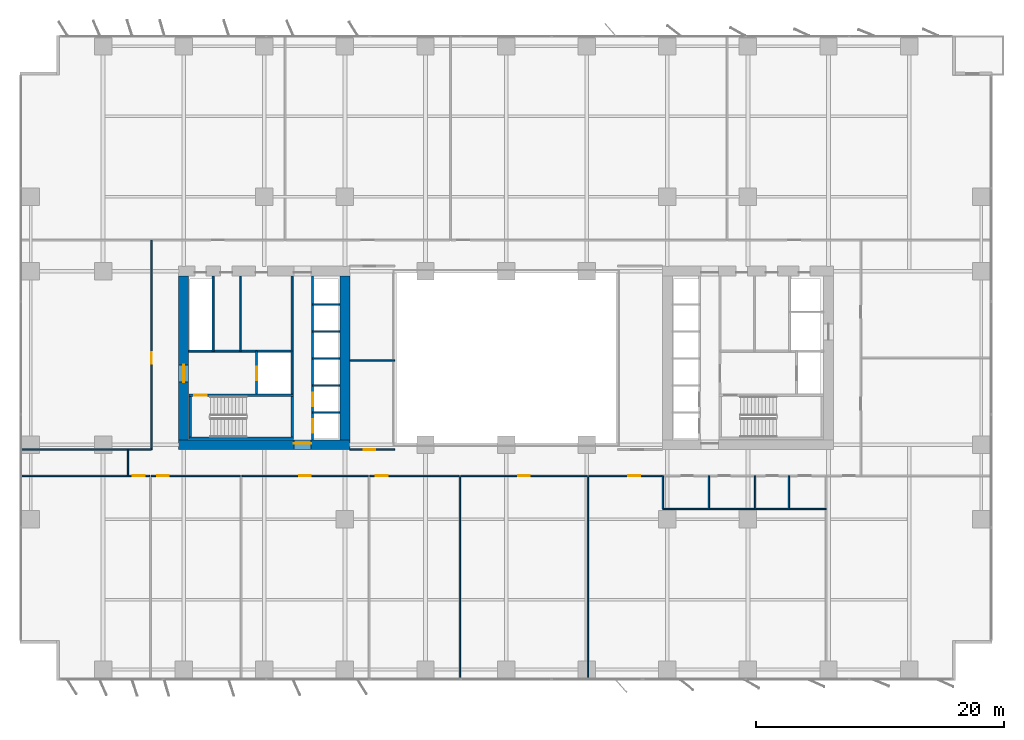
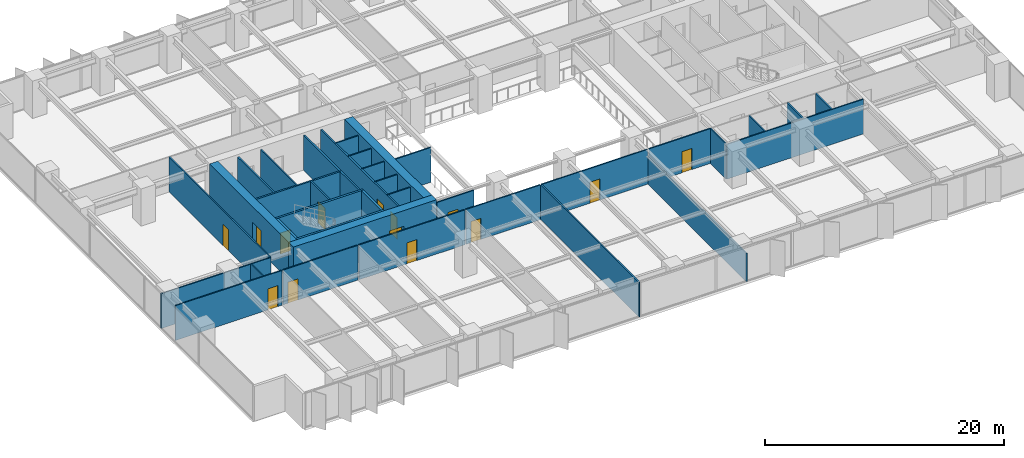
# One storey, part 13 of 20: 37 walls, 14 doors, 14 openings.
"""IFC4 building model written with IfcOpenShell, lengths in metres."""

from ifc_helpers import new_model, si_unit, direction, frame, frame_2d, origin, place, context, subcontext, project, spatial, rectangle, extrude, material, layer, layer_set, type_object, element, fill, save


model = new_model("IFC4")

# Units and contexts
model_context = context("Model", 3, precision=1e-05, world=origin(), true_north=direction((0.0, 1.0)))
body_context = subcontext(model_context, "Body", "Model", "MODEL_VIEW")
ifc_project = project(units=[si_unit("LENGTHUNIT", "METRE"), si_unit("AREAUNIT", "SQUARE_METRE"), si_unit("VOLUMEUNIT", "CUBIC_METRE"), si_unit("PLANEANGLEUNIT", "RADIAN"), si_unit("MASSUNIT", "GRAM", prefix="KILO")], contexts=[model_context])

# Site, building, storey
site_placement = place(None, origin())
site = spatial("IfcSite", under=ifc_project, at=site_placement, CompositionType="ELEMENT")
building_placement = place(site_placement, origin())
building = spatial("IfcBuilding", under=site, at=building_placement, Name="Putna Gate Headquarters", CompositionType="ELEMENT")
storey_placement = place(building_placement, frame((0.0, 0.0, 69.60009765625)))
storey = spatial("IfcBuildingStorey", under=building, at=storey_placement, Name="L16", CompositionType="ELEMENT", Elevation=69.60009765625)

# Wall, opening, door
ifc_material_1 = material(Name="Concrete C60/75", Category="concrete")
ifc_layer_1 = layer(ifc_material_1, 0.800048828125)
ifc_layer_set_1 = layer_set([ifc_layer_1], Name="Concrete C60/75")
wall_type_1 = type_object("IfcWallType", Name="WALL-CORE-800", PredefinedType="SHEAR", material=ifc_layer_set_1)
wall_1_placement = place(storey_placement, frame((12.60009765625, 19.0, 0.0), z_axis=(0.0, 0.0, 1.0), x_axis=(1.0, 0.0, 0.0)))
wall_1 = element("IfcWall", 1, at=wall_1_placement, inside=storey, type_object=wall_type_1, Name="L16 WC Split Core Shear Wall S", PredefinedType="SHEAR", context=body_context, shape_type="SweptSolid", body=[
    extrude(rectangle(XDim=13.7998046875, YDim=0.800048828125, at=frame_2d((6.89990234375, 0.0))), origin(), (0.0, 0.0, 1.0), 3.7998046875),
])
opening_1_placement = place(wall_1_placement, frame((9.280029296875, 0.0, 0.0)))
opening_1 = element("IfcOpeningElement", 2, at=opening_1_placement, cuts=wall_1, Name="Opening FDD-140", PredefinedType="OPENING", context=body_context, shape_type="SweptSolid", body=[
    extrude(rectangle(XDim=1.39990234375, YDim=2.199951171875, at=frame_2d((0.699951171875, 1.10009765625))), frame((0.0, 0.409912109375, 0.0), z_axis=(0.0, -1.0, 0.0), x_axis=(1.0, 0.0, 0.0)), (0.0, 0.0, 1.0), 0.820068359375),
])
ifc_material_2 = material(Name="Double steel fire door", Category="steel")
door_type_1 = type_object("IfcDoorType", Name="DOOR-FIRE-DBL-1400", OperationType="DOUBLE_DOOR_SINGLE_SWING", PredefinedType="DOOR", material=ifc_material_2)
door_1_placement = place(opening_1_placement, origin())
door_1 = element("IfcDoor", 3, at=door_1_placement, inside=storey, type_object=door_type_1, Name="L16 West Lift Lobby South Door", OperationType="DOUBLE_DOOR_SINGLE_SWING", OverallHeight=2.199951171875, OverallWidth=1.39990234375, PredefinedType="DOOR", context=body_context, shape_type="SweptSolid", body=[
    extrude(rectangle(XDim=1.39990234375, YDim=2.199951171875, at=frame_2d((0.699951171875, 1.10009765625))), frame((0.0, 0.125, 0.0), z_axis=(0.0, -1.0, 0.0), x_axis=(1.0, 0.0, 0.0)), (0.0, 0.0, 1.0), 0.050048828125),
])
fill(opening_1, door_1)

wall_2_placement = place(storey_placement, frame((13.0, 19.39990234375, 0.0), z_axis=(0.0, 0.0, 1.0), x_axis=(0.0, 1.0, 0.0)))
wall_2 = element("IfcWall", 4, at=wall_2_placement, inside=storey, type_object=wall_type_1, Name="L16 WC Split Core Shear Wall W", PredefinedType="SHEAR", context=body_context, shape_type="SweptSolid", body=[
    extrude(rectangle(XDim=13.2001953125, YDim=0.800048828125, at=frame_2d((6.60009765625, 0.0))), origin(), (0.0, 0.0, 1.0), 3.7998046875),
])
opening_2_placement = place(wall_2_placement, frame((4.64990234375, 0.0, 0.0)))
opening_2 = element("IfcOpeningElement", 5, at=opening_2_placement, cuts=wall_2, Name="Opening FDD-140", PredefinedType="OPENING", context=body_context, shape_type="SweptSolid", body=[
    extrude(rectangle(XDim=1.39990234375, YDim=2.199951171875, at=frame_2d((0.699951171875, 1.10009765625))), frame((0.0, 0.409912109375, 0.0), z_axis=(0.0, -1.0, 0.0), x_axis=(1.0, 0.0, 0.0)), (0.0, 0.0, 1.0), 0.820068359375),
])
door_2_placement = place(opening_2_placement, origin())
door_2 = element("IfcDoor", 6, at=door_2_placement, inside=storey, type_object=door_type_1, Name="L16 West Firefighting Lobby Door", OperationType="DOUBLE_DOOR_SINGLE_SWING", OverallHeight=2.199951171875, OverallWidth=1.39990234375, PredefinedType="DOOR", context=body_context, shape_type="SweptSolid", body=[
    extrude(rectangle(XDim=1.39990234375, YDim=2.199951171875, at=frame_2d((0.699951171875, 1.10009765625))), frame((0.0, 0.02490234375, 0.0), z_axis=(0.0, -1.0, 0.0), x_axis=(1.0, 0.0, 0.0)), (0.0, 0.0, 1.0), 0.050048828125),
])
fill(opening_2, door_2)

# Walls
wall_3_placement = place(storey_placement, frame((26.0, 19.39990234375, 0.0), z_axis=(0.0, 0.0, 1.0), x_axis=(0.0, 1.0, 0.0)))
element("IfcWall", 7, at=wall_3_placement, inside=storey, type_object=wall_type_1, Name="L16 WC Split Core Shear Wall E", PredefinedType="SHEAR", context=body_context, shape_type="SweptSolid", body=[
    extrude(rectangle(XDim=13.2001953125, YDim=0.800048828125, at=frame_2d((6.60009765625, 0.0))), origin(), (0.0, 0.0, 1.0), 3.7998046875),
])
ifc_material_3 = material(Name="Acoustic gypsum board on metal stud")
ifc_layer_2 = layer(ifc_material_3, 0.1201171875)
ifc_layer_set_2 = layer_set([ifc_layer_2], Name="Acoustic gypsum board on metal stud")
wall_type_2 = type_object("IfcWallType", Name="WALL-PART-120", PredefinedType="PARTITIONING", material=ifc_layer_set_2)
wall_4_placement = place(storey_placement, frame((26.39990234375, 25.800048828125, 0.0), z_axis=(0.0, 0.0, 1.0), x_axis=(1.0, 0.0, 0.0)))
element("IfcWall", 8, at=wall_4_placement, inside=storey, type_object=wall_type_2, Name="L16 Interior Wall PART-L16-ATR-W-DIV", PredefinedType="PARTITIONING", context=body_context, shape_type="SweptSolid", body=[
    extrude(rectangle(XDim=3.60009765625, YDim=0.1201171875, at=frame_2d((1.800048828125, 0.0))), origin(), (0.0, 0.0, 1.0), 3.5498046875),
])

# Wall, opening, door
wall_5_placement = place(storey_placement, frame((26.39990234375, 18.60009765625, 0.0), z_axis=(0.0, 0.0, 1.0), x_axis=(1.0, 0.0, 0.0)))
wall_5 = element("IfcWall", 9, at=wall_5_placement, inside=storey, type_object=wall_type_2, Name="L16 Interior Wall PART-L16-ATR-W-S", PredefinedType="PARTITIONING", context=body_context, shape_type="SweptSolid", body=[
    extrude(rectangle(XDim=3.60009765625, YDim=0.1201171875, at=frame_2d((1.800048828125, 0.0))), origin(), (0.0, 0.0, 1.0), 3.5498046875),
])
opening_3_placement = place(wall_5_placement, frame((1.10009765625, 0.0, 0.0)))
opening_3 = element("IfcOpeningElement", 10, at=opening_3_placement, cuts=wall_5, Name="Opening ID-95", PredefinedType="OPENING", context=body_context, shape_type="SweptSolid", body=[
    extrude(rectangle(XDim=0.949951171875, YDim=2.14990234375, at=frame_2d((0.47509765625, 1.074951171875))), frame((0.0, 0.070068359375, 0.0), z_axis=(0.0, -1.0, 0.0), x_axis=(1.0, 0.0, 0.0)), (0.0, 0.0, 1.0), 0.14013671875),
])
ifc_material_4 = material(Name="Veneered acoustic timber door", Category="wood")
door_type_2 = type_object("IfcDoorType", Name="DOOR-OFF-950", OperationType="NOTDEFINED", PredefinedType="DOOR", material=ifc_material_4)
door_3_placement = place(opening_3_placement, origin())
door_3 = element("IfcDoor", 11, at=door_3_placement, inside=storey, type_object=door_type_2, Name="L16 West Atrium South Study Door", OperationType="SINGLE_SWING_LEFT", OverallHeight=2.14990234375, OverallWidth=0.949951171875, PredefinedType="DOOR", context=body_context, shape_type="SweptSolid", body=[
    extrude(rectangle(XDim=0.949951171875, YDim=2.14990234375, at=frame_2d((0.47509765625, 1.074951171875))), frame((0.0, 0.02490234375, 0.0), z_axis=(0.0, -1.0, 0.0), x_axis=(1.0, 0.0, 0.0)), (0.0, 0.0, 1.0), 0.050048828125),
])
fill(opening_3, door_3)

# Walls
wall_6_placement = place(storey_placement, frame((35.27099609375, 0.02001953125, 0.0), z_axis=(0.0, 0.0, 1.0), x_axis=(0.0, 1.0, 0.0)))
element("IfcWall", 12, at=wall_6_placement, inside=storey, type_object=wall_type_2, Name="L16 Interior Wall PART-L16-SB-DIV-04", PredefinedType="PARTITIONING", context=body_context, shape_type="SweptSolid", body=[
    extrude(rectangle(XDim=16.419921875, YDim=0.1201171875, at=frame_2d((8.2099609375, 0.0))), origin(), (0.0, 0.0, 1.0), 3.5498046875),
])
wall_7_placement = place(storey_placement, frame((45.60009765625, 0.02001953125, 0.0), z_axis=(0.0, 0.0, 1.0), x_axis=(0.0, 1.0, 0.0)))
element("IfcWall", 13, at=wall_7_placement, inside=storey, type_object=wall_type_2, Name="L16 Interior Wall PART-L16-SB-DIV-05", PredefinedType="PARTITIONING", context=body_context, shape_type="SweptSolid", body=[
    extrude(rectangle(XDim=16.419921875, YDim=0.1201171875, at=frame_2d((8.2099609375, 0.0))), origin(), (0.0, 0.0, 1.0), 2.89990234375),
])
ifc_material_5 = material(Name="Fire-rated shaftwall gypsum board on metal stud")
ifc_layer_3 = layer(ifc_material_5, 0.1201171875)
ifc_layer_set_3 = layer_set([ifc_layer_3], Name="Fire-rated shaftwall gypsum board on metal stud")
wall_type_3 = type_object("IfcWallType", Name="WALL-PART-120-EI120", PredefinedType="PARTITIONING", material=ifc_layer_set_3)
for number, where, z_axis, x_axis, name in (
    (14, (23.39990234375, 21.610107421875, 0.0), (0.0, 0.0, 1.0), (1.0, 0.0, 0.0), "L16 Interior Wall CWINT-L16-WC-LF01-DIV"),
    (15, (23.39990234375, 23.780029296875, 0.0), (0.0, 0.0, 1.0), (1.0, 0.0, 0.0), "L16 Interior Wall CWINT-L16-WC-LF02-DIV"),
    (16, (23.39990234375, 25.949951171875, 0.0), (0.0, 0.0, 1.0), (1.0, 0.0, 0.0), "L16 Interior Wall CWINT-L16-WC-LF05-DIV"),
    (17, (23.39990234375, 28.1201171875, 0.0), (0.0, 0.0, 1.0), (1.0, 0.0, 0.0), "L16 Interior Wall CWINT-L16-WC-LF06-DIV"),
    (18, (23.39990234375, 30.31005859375, 0.0), (0.0, 0.0, 1.0), (1.0, 0.0, 0.0), "L16 Interior Wall CWINT-L16-WC-LF09-DIV"),
):
    element("IfcWall", number, at=place(storey_placement, frame(where, z_axis=z_axis, x_axis=x_axis)), inside=storey, type_object=wall_type_3, Name=name, PredefinedType="PARTITIONING", context=body_context, shape_type="SweptSolid", body=[
        extrude(rectangle(XDim=2.2001953125, YDim=0.1201171875, at=frame_2d((1.10009765625, 0.0))), origin(), (0.0, 0.0, 1.0), 3.5498046875),
    ])
ifc_material_6 = material(Name="Fire-rated gypsum board on metal stud")
ifc_layer_4 = layer(ifc_material_6, 0.1201171875)
ifc_layer_set_4 = layer_set([ifc_layer_4], Name="Fire-rated gypsum board on metal stud")
wall_type_4 = type_object("IfcWallType", Name="WALL-PART-120-RATED", PredefinedType="PARTITIONING", material=ifc_layer_set_4)
wall_8_placement = place(storey_placement, frame((17.570068359375, 26.56005859375, 0.0), z_axis=(0.0, 0.0, 1.0), x_axis=(0.0, 1.0, 0.0)))
element("IfcWall", 19, at=wall_8_placement, inside=storey, type_object=wall_type_4, Name="L16 Interior Wall CWINT-L16-WC-K1-DIV", PredefinedType="PARTITIONING", context=body_context, shape_type="SweptSolid", body=[
    extrude(rectangle(XDim=6.0400390625, YDim=0.1201171875, at=frame_2d((3.02001953125, 0.0))), origin(), (0.0, 0.0, 1.0), 3.5498046875),
])
wall_9_placement = place(storey_placement, frame((8.509033203125, 16.5, 0.0), z_axis=(0.0, 0.0, 1.0), x_axis=(0.0, 1.0, 0.0)))
element("IfcWall", 20, at=wall_9_placement, inside=storey, type_object=wall_type_4, Name="L16 Interior Wall PART-L16-CORRS-CAPW", PredefinedType="PARTITIONING", context=body_context, shape_type="SweptSolid", body=[
    extrude(rectangle(XDim=2.10009765625, YDim=0.1201171875, at=frame_2d((1.050048828125, 0.0))), origin(), (0.0, 0.0, 1.0), 3.5498046875),
])
wall_10_placement = place(storey_placement, frame((51.639892578125, 13.820068359375, 0.0), z_axis=(0.0, 0.0, 1.0), x_axis=(1.0, 0.0, 0.0)))
element("IfcWall", 21, at=wall_10_placement, inside=storey, type_object=wall_type_4, Name="L16 Interior Wall PART-L16-SAN-BACK", PredefinedType="PARTITIONING", context=body_context, shape_type="SweptSolid", body=[
    extrude(rectangle(XDim=13.16015625, YDim=0.1201171875, at=frame_2d((6.580078125, 0.0))), origin(), (0.0, 0.0, 1.0), 3.5498046875),
])
for number, where, z_axis, x_axis, name in (
    (22, (51.639892578125, 13.820068359375, 0.0), (0.0, 0.0, 1.0), (0.0, 1.0, 0.0), "L16 Interior Wall PART-L16-SAN-DIV-1"),
    (23, (55.360107421875, 13.820068359375, 0.0), (0.0, 0.0, 1.0), (0.0, 1.0, 0.0), "L16 Interior Wall PART-L16-SAN-DIV-2"),
    (24, (59.080078125, 13.820068359375, 0.0), (0.0, 0.0, 1.0), (0.0, 1.0, 0.0), "L16 Interior Wall PART-L16-SAN-DIV-3"),
    (25, (61.800048828125, 13.820068359375, 0.0), (0.0, 0.0, 1.0), (0.0, 1.0, 0.0), "L16 Interior Wall PART-L16-SAN-DIV-4"),
):
    element("IfcWall", number, at=place(storey_placement, frame(where, z_axis=z_axis, x_axis=x_axis)), inside=storey, type_object=wall_type_4, Name=name, PredefinedType="PARTITIONING", context=body_context, shape_type="SweptSolid", body=[
        extrude(rectangle(XDim=2.679931640625, YDim=0.1201171875, at=frame_2d((1.33984375, 0.0))), origin(), (0.0, 0.0, 1.0), 3.5498046875),
    ])

# Wall, opening, door
wall_11_placement = place(storey_placement, frame((-0.02001953125, 16.5, 0.0), z_axis=(0.0, 0.0, 1.0), x_axis=(1.0, 0.0, 0.0)))
wall_11 = element("IfcWall", 26, at=wall_11_placement, inside=storey, type_object=wall_type_4, Name="L16 Interior Wall PART-L16-SB-CW-01", PredefinedType="PARTITIONING", context=body_context, shape_type="SweptSolid", body=[
    extrude(rectangle(XDim=10.26904296875, YDim=0.1201171875, at=frame_2d((5.134521484375, 0.0))), origin(), (0.0, 0.0, 1.0), 3.5498046875),
])
opening_4_placement = place(wall_11_placement, frame((8.924072265625, 0.0, 0.0)))
opening_4 = element("IfcOpeningElement", 27, at=opening_4_placement, cuts=wall_11, Name="Opening FD-95", PredefinedType="OPENING", context=body_context, shape_type="SweptSolid", body=[
    extrude(rectangle(XDim=0.949951171875, YDim=2.14990234375, at=frame_2d((0.47509765625, 1.074951171875))), frame((0.0, 0.070068359375, 0.0), z_axis=(0.0, -1.0, 0.0), x_axis=(1.0, 0.0, 0.0)), (0.0, 0.0, 1.0), 0.14013671875),
])
ifc_material_7 = material(Name="Acoustic timber fire door", Category="wood")
door_type_3 = type_object("IfcDoorType", Name="DOOR-FIRE-950", OperationType="NOTDEFINED", PredefinedType="DOOR", material=ifc_material_7)
door_4_placement = place(opening_4_placement, origin())
door_4 = element("IfcDoor", 28, at=door_4_placement, inside=storey, type_object=door_type_3, Name="L16 Cellular Office 2 Door", OperationType="SINGLE_SWING_RIGHT", OverallHeight=2.14990234375, OverallWidth=0.949951171875, PredefinedType="DOOR", context=body_context, shape_type="SweptSolid", body=[
    extrude(rectangle(XDim=0.949951171875, YDim=2.14990234375, at=frame_2d((0.47509765625, 1.074951171875))), frame((0.0, 0.02490234375, 0.0), z_axis=(0.0, -1.0, 0.0), x_axis=(1.0, 0.0, 0.0)), (0.0, 0.0, 1.0), 0.050048828125),
])
fill(opening_4, door_4)

wall_12_placement = place(storey_placement, frame((10.369140625, 16.5, 0.0), z_axis=(0.0, 0.0, 1.0), x_axis=(1.0, 0.0, 0.0)))
wall_12 = element("IfcWall", 29, at=wall_12_placement, inside=storey, type_object=wall_type_4, Name="L16 Interior Wall PART-L16-SB-CW-02", PredefinedType="PARTITIONING", context=body_context, shape_type="SweptSolid", body=[
    extrude(rectangle(XDim=7.1962890625, YDim=0.1201171875, at=frame_2d((3.59814453125, 0.0))), origin(), (0.0, 0.0, 1.0), 3.5498046875),
])
opening_5_placement = place(wall_12_placement, frame((0.47998046875, 0.0, 0.0)))
opening_5 = element("IfcOpeningElement", 30, at=opening_5_placement, cuts=wall_12, Name="Opening FD-95", PredefinedType="OPENING", context=body_context, shape_type="SweptSolid", body=[
    extrude(rectangle(XDim=0.949951171875, YDim=2.14990234375, at=frame_2d((0.47509765625, 1.074951171875))), frame((0.0, 0.070068359375, 0.0), z_axis=(0.0, -1.0, 0.0), x_axis=(1.0, 0.0, 0.0)), (0.0, 0.0, 1.0), 0.14013671875),
])
door_5_placement = place(opening_5_placement, origin())
door_5 = element("IfcDoor", 31, at=door_5_placement, inside=storey, type_object=door_type_3, Name="L16 Conference Meeting Room 4 Door", OperationType="SINGLE_SWING_LEFT", OverallHeight=2.14990234375, OverallWidth=0.949951171875, PredefinedType="DOOR", context=body_context, shape_type="SweptSolid", body=[
    extrude(rectangle(XDim=0.949951171875, YDim=2.14990234375, at=frame_2d((0.47509765625, 1.074951171875))), frame((0.0, 0.02490234375, 0.0), z_axis=(0.0, -1.0, 0.0), x_axis=(1.0, 0.0, 0.0)), (0.0, 0.0, 1.0), 0.050048828125),
])
fill(opening_5, door_5)

wall_13_placement = place(storey_placement, frame((17.685546875, 16.5, 0.0), z_axis=(0.0, 0.0, 1.0), x_axis=(1.0, 0.0, 0.0)))
wall_13 = element("IfcWall", 32, at=wall_13_placement, inside=storey, type_object=wall_type_4, Name="L16 Interior Wall PART-L16-SB-CW-03", PredefinedType="PARTITIONING", context=body_context, shape_type="SweptSolid", body=[
    extrude(rectangle(XDim=10.208984375, YDim=0.1201171875, at=frame_2d((5.1044921875, 0.0))), origin(), (0.0, 0.0, 1.0), 3.5498046875),
])
opening_6_placement = place(wall_13_placement, frame((4.62939453125, 0.0, 0.0)))
opening_6 = element("IfcOpeningElement", 33, at=opening_6_placement, cuts=wall_13, Name="Opening FD-95", PredefinedType="OPENING", context=body_context, shape_type="SweptSolid", body=[
    extrude(rectangle(XDim=0.949951171875, YDim=2.14990234375, at=frame_2d((0.47509765625, 1.074951171875))), frame((0.0, 0.070068359375, 0.0), z_axis=(0.0, -1.0, 0.0), x_axis=(1.0, 0.0, 0.0)), (0.0, 0.0, 1.0), 0.14013671875),
])
door_6_placement = place(opening_6_placement, origin())
door_6 = element("IfcDoor", 34, at=door_6_placement, inside=storey, type_object=door_type_3, Name="L16 Conference Meeting Room 5 Door", OperationType="SINGLE_SWING_RIGHT", OverallHeight=2.14990234375, OverallWidth=0.949951171875, PredefinedType="DOOR", context=body_context, shape_type="SweptSolid", body=[
    extrude(rectangle(XDim=0.949951171875, YDim=2.14990234375, at=frame_2d((0.47509765625, 1.074951171875))), frame((0.0, 0.02490234375, 0.0), z_axis=(0.0, -1.0, 0.0), x_axis=(1.0, 0.0, 0.0)), (0.0, 0.0, 1.0), 0.050048828125),
])
fill(opening_6, door_6)

wall_14_placement = place(storey_placement, frame((28.014404296875, 16.5, 0.0), z_axis=(0.0, 0.0, 1.0), x_axis=(1.0, 0.0, 0.0)))
wall_14 = element("IfcWall", 35, at=wall_14_placement, inside=storey, type_object=wall_type_4, Name="L16 Interior Wall PART-L16-SB-CW-04", PredefinedType="PARTITIONING", context=body_context, shape_type="SweptSolid", body=[
    extrude(rectangle(XDim=7.196533203125, YDim=0.1201171875, at=frame_2d((3.59814453125, 0.0))), origin(), (0.0, 0.0, 1.0), 3.5498046875),
])
opening_7_placement = place(wall_14_placement, frame((0.47998046875, 0.0, 0.0)))
opening_7 = element("IfcOpeningElement", 36, at=opening_7_placement, cuts=wall_14, Name="Opening FD-95", PredefinedType="OPENING", context=body_context, shape_type="SweptSolid", body=[
    extrude(rectangle(XDim=0.949951171875, YDim=2.14990234375, at=frame_2d((0.47509765625, 1.074951171875))), frame((0.0, 0.070068359375, 0.0), z_axis=(0.0, -1.0, 0.0), x_axis=(1.0, 0.0, 0.0)), (0.0, 0.0, 1.0), 0.14013671875),
])
door_7_placement = place(opening_7_placement, origin())
door_7 = element("IfcDoor", 37, at=door_7_placement, inside=storey, type_object=door_type_3, Name="L16 Collaborative Breakout Lounge 1 Door", OperationType="SINGLE_SWING_LEFT", OverallHeight=2.14990234375, OverallWidth=0.949951171875, PredefinedType="DOOR", context=body_context, shape_type="SweptSolid", body=[
    extrude(rectangle(XDim=0.949951171875, YDim=2.14990234375, at=frame_2d((0.47509765625, 1.074951171875))), frame((0.0, 0.02490234375, 0.0), z_axis=(0.0, -1.0, 0.0), x_axis=(1.0, 0.0, 0.0)), (0.0, 0.0, 1.0), 0.050048828125),
])
fill(opening_7, door_7)

wall_15_placement = place(storey_placement, frame((35.330810546875, 16.5, 0.0), z_axis=(0.0, 0.0, 1.0), x_axis=(1.0, 0.0, 0.0)))
wall_15 = element("IfcWall", 38, at=wall_15_placement, inside=storey, type_object=wall_type_4, Name="L16 Interior Wall PART-L16-SB-CW-05", PredefinedType="PARTITIONING", context=body_context, shape_type="SweptSolid", body=[
    extrude(rectangle(XDim=10.209228515625, YDim=0.1201171875, at=frame_2d((5.1044921875, 0.0))), origin(), (0.0, 0.0, 1.0), 3.5498046875),
])
opening_8_placement = place(wall_15_placement, frame((4.629638671875, 0.0, 0.0)))
opening_8 = element("IfcOpeningElement", 39, at=opening_8_placement, cuts=wall_15, Name="Opening FD-95", PredefinedType="OPENING", context=body_context, shape_type="SweptSolid", body=[
    extrude(rectangle(XDim=0.949951171875, YDim=2.14990234375, at=frame_2d((0.47509765625, 1.074951171875))), frame((0.0, 0.070068359375, 0.0), z_axis=(0.0, -1.0, 0.0), x_axis=(1.0, 0.0, 0.0)), (0.0, 0.0, 1.0), 0.14013671875),
])
door_8_placement = place(opening_8_placement, origin())
door_8 = element("IfcDoor", 40, at=door_8_placement, inside=storey, type_object=door_type_3, Name="L16 Quiet Wellness Focus Studio 1 Door", OperationType="SINGLE_SWING_RIGHT", OverallHeight=2.14990234375, OverallWidth=0.949951171875, PredefinedType="DOOR", context=body_context, shape_type="SweptSolid", body=[
    extrude(rectangle(XDim=0.949951171875, YDim=2.14990234375, at=frame_2d((0.47509765625, 1.074951171875))), frame((0.0, 0.02490234375, 0.0), z_axis=(0.0, -1.0, 0.0), x_axis=(1.0, 0.0, 0.0)), (0.0, 0.0, 1.0), 0.050048828125),
])
fill(opening_8, door_8)

wall_16_placement = place(storey_placement, frame((45.659912109375, 16.5, 0.0), z_axis=(0.0, 0.0, 1.0), x_axis=(1.0, 0.0, 0.0)))
wall_16 = element("IfcWall", 41, at=wall_16_placement, inside=storey, type_object=wall_type_4, Name="L16 Interior Wall PART-L16-SB-CW-06", PredefinedType="PARTITIONING", context=body_context, shape_type="SweptSolid", body=[
    extrude(rectangle(XDim=5.920166015625, YDim=0.1201171875, at=frame_2d((2.9599609375, 0.0))), origin(), (0.0, 0.0, 1.0), 3.5498046875),
])
opening_9_placement = place(wall_16_placement, frame((3.194091796875, 0.0, 0.0)))
opening_9 = element("IfcOpeningElement", 42, at=opening_9_placement, cuts=wall_16, Name="Opening FD-95", PredefinedType="OPENING", context=body_context, shape_type="SweptSolid", body=[
    extrude(rectangle(XDim=0.949951171875, YDim=2.14990234375, at=frame_2d((0.47509765625, 1.074951171875))), frame((0.0, 0.070068359375, 0.0), z_axis=(0.0, -1.0, 0.0), x_axis=(1.0, 0.0, 0.0)), (0.0, 0.0, 1.0), 0.14013671875),
])
door_9_placement = place(opening_9_placement, origin())
door_9 = element("IfcDoor", 43, at=door_9_placement, inside=storey, type_object=door_type_3, Name="L16 Primary Open Office Workplace Door", OperationType="SINGLE_SWING_LEFT", OverallHeight=2.14990234375, OverallWidth=0.949951171875, PredefinedType="DOOR", context=body_context, shape_type="SweptSolid", body=[
    extrude(rectangle(XDim=0.949951171875, YDim=2.14990234375, at=frame_2d((0.47509765625, 1.074951171875))), frame((0.0, 0.02490234375, 0.0), z_axis=(0.0, -1.0, 0.0), x_axis=(1.0, 0.0, 0.0)), (0.0, 0.0, 1.0), 0.050048828125),
])
fill(opening_9, door_9)

# Wall
wall_17_placement = place(storey_placement, frame((-0.179931640625, 18.60009765625, 0.0), z_axis=(0.0, 0.0, 1.0), x_axis=(1.0, 0.0, 0.0)))
element("IfcWall", 44, at=wall_17_placement, inside=storey, type_object=wall_type_4, Name="L16 Interior Wall PART-L16-WW-S-BOUND", PredefinedType="PARTITIONING", context=body_context, shape_type="SweptSolid", body=[
    extrude(rectangle(XDim=10.579833984375, YDim=0.1201171875, at=frame_2d((5.2900390625, 0.0))), origin(), (0.0, 0.0, 1.0), 3.5498046875),
])

# Wall, opening, door
wall_18_placement = place(storey_placement, frame((10.39990234375, 18.60009765625, 0.0), z_axis=(0.0, 0.0, 1.0), x_axis=(0.0, 1.0, 0.0)))
wall_18 = element("IfcWall", 45, at=wall_18_placement, inside=storey, type_object=wall_type_4, Name="L16 Interior Wall PART-L16-WW-CW-1", PredefinedType="PARTITIONING", context=body_context, shape_type="SweptSolid", body=[
    extrude(rectangle(XDim=16.89990234375, YDim=0.1201171875, at=frame_2d((8.449951171875, 0.0))), origin(), (0.0, 0.0, 1.0), 3.5498046875),
])
opening_10_placement = place(wall_18_placement, frame((6.925048828125, 0.0, 0.0)))
opening_10 = element("IfcOpeningElement", 46, at=opening_10_placement, cuts=wall_18, Name="Opening FD-95", PredefinedType="OPENING", context=body_context, shape_type="SweptSolid", body=[
    extrude(rectangle(XDim=0.949951171875, YDim=2.14990234375, at=frame_2d((0.47509765625, 1.074951171875))), frame((0.0, 0.070068359375, 0.0), z_axis=(0.0, -1.0, 0.0), x_axis=(1.0, 0.0, 0.0)), (0.0, 0.0, 1.0), 0.14013671875),
])
door_10_placement = place(opening_10_placement, origin())
door_10 = element("IfcDoor", 47, at=door_10_placement, inside=storey, type_object=door_type_3, Name="L16 West Project Meeting Room 1 Door", OperationType="SINGLE_SWING_LEFT", OverallHeight=2.14990234375, OverallWidth=0.949951171875, PredefinedType="DOOR", context=body_context, shape_type="SweptSolid", body=[
    extrude(rectangle(XDim=0.949951171875, YDim=2.14990234375, at=frame_2d((0.47509765625, 1.074951171875))), frame((0.0, 0.02490234375, 0.0), z_axis=(0.0, -1.0, 0.0), x_axis=(1.0, 0.0, 0.0)), (0.0, 0.0, 1.0), 0.050048828125),
])
fill(opening_10, door_10)

# Wall
ifc_material_8 = material(Name="Concrete C40/50", Category="concrete")
ifc_layer_5 = layer(ifc_material_8, 0.159912109375)
ifc_layer_set_5 = layer_set([ifc_layer_5], Name="Concrete C40/50")
wall_type_5 = type_object("IfcWallType", Name="WALL-SHAFT-160", PredefinedType="STANDARD", material=ifc_layer_set_5)
wall_19_placement = place(storey_placement, frame((21.739990234375, 23.090087890625, 0.0), z_axis=(0.0, 0.0, 1.0), x_axis=(0.0, 1.0, 0.0)))
element("IfcWall", 48, at=wall_19_placement, inside=storey, type_object=wall_type_5, Name="L16 Interior Wall CWINT-L16-WC-FFL-E", PredefinedType="STANDARD", context=body_context, shape_type="SweptSolid", body=[
    extrude(rectangle(XDim=3.469970703125, YDim=0.159912109375, at=frame_2d((1.73486328125, 0.0))), origin(), (0.0, 0.0, 1.0), 3.5498046875),
])

# Wall, opening, door
wall_20_placement = place(storey_placement, frame((18.8798828125, 23.090087890625, 0.0), z_axis=(0.0, 0.0, 1.0), x_axis=(0.0, 1.0, 0.0)))
wall_20 = element("IfcWall", 49, at=wall_20_placement, inside=storey, type_object=wall_type_5, Name="L16 Interior Wall CWINT-L16-WC-LF13-W", PredefinedType="STANDARD", context=body_context, shape_type="SweptSolid", body=[
    extrude(rectangle(XDim=3.469970703125, YDim=0.159912109375, at=frame_2d((1.73486328125, 0.0))), origin(), (0.0, 0.0, 1.0), 3.5498046875),
])
opening_11_placement = place(wall_20_placement, frame((1.10009765625, 0.0, 0.0)))
opening_11 = element("IfcOpeningElement", 50, at=opening_11_placement, cuts=wall_20, Name="Opening LD-1", PredefinedType="OPENING", context=body_context, shape_type="SweptSolid", body=[
    extrude(rectangle(XDim=1.10009765625, YDim=2.199951171875, at=frame_2d((0.550048828125, 1.10009765625))), frame((0.0, 0.08984375, 0.0), z_axis=(0.0, -1.0, 0.0), x_axis=(1.0, 0.0, 0.0)), (0.0, 0.0, 1.0), 0.179931640625),
])
ifc_material_9 = material(Name="Brushed bronze stainless lift landing door")
door_type_4 = type_object("IfcDoorType", Name="DOOR-LIFT-1100", OperationType="DOUBLE_DOOR_SLIDING", PredefinedType="DOOR", material=ifc_material_9)
door_11_placement = place(opening_11_placement, origin())
door_11 = element("IfcDoor", 51, at=door_11_placement, inside=storey, type_object=door_type_4, Name="L16 Lift Landing Door LD-13", OperationType="DOUBLE_DOOR_SLIDING", OverallHeight=2.199951171875, OverallWidth=1.10009765625, PredefinedType="DOOR", context=body_context, shape_type="SweptSolid", body=[
    extrude(rectangle(XDim=1.10009765625, YDim=2.199951171875, at=frame_2d((0.550048828125, 1.10009765625))), frame((0.0, 0.02490234375, 0.0), z_axis=(0.0, -1.0, 0.0), x_axis=(1.0, 0.0, 0.0)), (0.0, 0.0, 1.0), 0.050048828125),
])
fill(opening_11, door_11)

# Walls
wall_21_placement = place(storey_placement, frame((13.39990234375, 26.56005859375, 0.0), z_axis=(0.0, 0.0, 1.0), x_axis=(1.0, 0.0, 0.0)))
element("IfcWall", 52, at=wall_21_placement, inside=storey, type_object=wall_type_5, Name="L16 Interior Wall CWINT-L16-WC-FFL-N", PredefinedType="STANDARD", context=body_context, shape_type="SweptSolid", body=[
    extrude(rectangle(XDim=8.340087890625, YDim=0.159912109375, at=frame_2d((4.169921875, 0.0))), origin(), (0.0, 0.0, 1.0), 3.5498046875),
])
for number, where, z_axis, x_axis, name in (
    (53, (15.3798828125, 26.56005859375, 0.0), (0.0, 0.0, 1.0), (0.0, 1.0, 0.0), "L16 Interior Wall CWINT-L16-WC-RISER-E"),
    (54, (21.739990234375, 26.56005859375, 0.0), (0.0, 0.0, 1.0), (0.0, 1.0, 0.0), "L16 Interior Wall CWINT-L16-WC-LOB-W"),
):
    element("IfcWall", number, at=place(storey_placement, frame(where, z_axis=z_axis, x_axis=x_axis)), inside=storey, type_object=wall_type_5, Name=name, PredefinedType="STANDARD", context=body_context, shape_type="SweptSolid", body=[
        extrude(rectangle(XDim=6.0400390625, YDim=0.159912109375, at=frame_2d((3.02001953125, 0.0))), origin(), (0.0, 0.0, 1.0), 3.5498046875),
    ])

# Wall, openings, doors
wall_22_placement = place(storey_placement, frame((23.39990234375, 19.39990234375, 0.0), z_axis=(0.0, 0.0, 1.0), x_axis=(0.0, 1.0, 0.0)))
wall_22 = element("IfcWall", 55, at=wall_22_placement, inside=storey, type_object=wall_type_5, Name="L16 Interior Wall CWINT-L16-WC-PL-WALL", PredefinedType="STANDARD", context=body_context, shape_type="SweptSolid", body=[
    extrude(rectangle(XDim=13.2001953125, YDim=0.159912109375, at=frame_2d((6.60009765625, 0.0))), origin(), (0.0, 0.0, 1.0), 3.5498046875),
])
opening_12_placement = place(wall_22_placement, frame((0.550048828125, 0.0, 0.0)))
opening_12 = element("IfcOpeningElement", 56, at=opening_12_placement, cuts=wall_22, Name="Opening LD-1", PredefinedType="OPENING", context=body_context, shape_type="SweptSolid", body=[
    extrude(rectangle(XDim=1.10009765625, YDim=2.199951171875, at=frame_2d((0.550048828125, 1.10009765625))), frame((0.0, 0.08984375, 0.0), z_axis=(0.0, -1.0, 0.0), x_axis=(1.0, 0.0, 0.0)), (0.0, 0.0, 1.0), 0.179931640625),
])
opening_13_placement = place(wall_22_placement, frame((2.699951171875, 0.0, 0.0)))
opening_13 = element("IfcOpeningElement", 57, at=opening_13_placement, cuts=wall_22, Name="Opening LD-1", PredefinedType="OPENING", context=body_context, shape_type="SweptSolid", body=[
    extrude(rectangle(XDim=1.10009765625, YDim=2.199951171875, at=frame_2d((0.550048828125, 1.10009765625))), frame((0.0, 0.08984375, 0.0), z_axis=(0.0, -1.0, 0.0), x_axis=(1.0, 0.0, 0.0)), (0.0, 0.0, 1.0), 0.179931640625),
])
door_12_placement = place(opening_12_placement, origin())
door_12 = element("IfcDoor", 58, at=door_12_placement, inside=storey, type_object=door_type_4, Name="L16 Lift Landing Door LD-01", OperationType="DOUBLE_DOOR_SLIDING", OverallHeight=2.199951171875, OverallWidth=1.10009765625, PredefinedType="DOOR", context=body_context, shape_type="SweptSolid", body=[
    extrude(rectangle(XDim=1.10009765625, YDim=2.199951171875, at=frame_2d((0.550048828125, 1.10009765625))), frame((0.0, 0.02490234375, 0.0), z_axis=(0.0, -1.0, 0.0), x_axis=(1.0, 0.0, 0.0)), (0.0, 0.0, 1.0), 0.050048828125),
])
fill(opening_12, door_12)
door_13_placement = place(opening_13_placement, origin())
door_13 = element("IfcDoor", 59, at=door_13_placement, inside=storey, type_object=door_type_4, Name="L16 Lift Landing Door LD-02", OperationType="DOUBLE_DOOR_SLIDING", OverallHeight=2.199951171875, OverallWidth=1.10009765625, PredefinedType="DOOR", context=body_context, shape_type="SweptSolid", body=[
    extrude(rectangle(XDim=1.10009765625, YDim=2.199951171875, at=frame_2d((0.550048828125, 1.10009765625))), frame((0.0, 0.02490234375, 0.0), z_axis=(0.0, -1.0, 0.0), x_axis=(1.0, 0.0, 0.0)), (0.0, 0.0, 1.0), 0.050048828125),
])
fill(opening_13, door_13)

# Wall
ifc_layer_6 = layer(ifc_material_8, 0.199951171875)
ifc_layer_set_6 = layer_set([ifc_layer_6], Name="Concrete C40/50")
wall_type_6 = type_object("IfcWallType", Name="WALL-SHAFT-RC200", PredefinedType="SHEAR", material=ifc_layer_set_6)
wall_23_placement = place(storey_placement, frame((13.409912109375, 19.510009765625, 0.0), z_axis=(0.0, 0.0, 1.0), x_axis=(1.0, 0.0, 0.0)))
element("IfcWall", 60, at=wall_23_placement, inside=storey, type_object=wall_type_6, Name="L16 Stair ST1 Structural Shaft Wall S", PredefinedType="SHEAR", context=body_context, shape_type="SweptSolid", body=[
    extrude(rectangle(XDim=8.43017578125, YDim=0.199951171875, at=frame_2d((4.215087890625, 0.0))), origin(), (0.0, 0.0, 1.0), 3.7998046875),
])

# Wall, opening, door
wall_24_placement = place(storey_placement, frame((13.409912109375, 22.989990234375, 0.0), z_axis=(0.0, 0.0, 1.0), x_axis=(1.0, 0.0, 0.0)))
wall_24 = element("IfcWall", 61, at=wall_24_placement, inside=storey, type_object=wall_type_6, Name="L16 Stair ST1 Structural Shaft Wall N", PredefinedType="SHEAR", context=body_context, shape_type="SweptSolid", body=[
    extrude(rectangle(XDim=8.43017578125, YDim=0.199951171875, at=frame_2d((4.215087890625, 0.0))), origin(), (0.0, 0.0, 1.0), 3.7998046875),
])
opening_14_placement = place(wall_24_placement, frame((0.449951171875, 0.0, 0.0)))
opening_14 = element("IfcOpeningElement", 62, at=opening_14_placement, cuts=wall_24, Name="Opening FD-100", PredefinedType="OPENING", context=body_context, shape_type="SweptSolid", body=[
    extrude(rectangle(XDim=1.0, YDim=2.14990234375, at=frame_2d((0.5, 1.074951171875))), frame((0.0, 0.10986328125, 0.0), z_axis=(0.0, -1.0, 0.0), x_axis=(1.0, 0.0, 0.0)), (0.0, 0.0, 1.0), 0.219970703125),
])
ifc_material_10 = material(Name="Powder-coated steel fire door", Category="steel")
door_type_5 = type_object("IfcDoorType", Name="DOOR-FIRE-1000", OperationType="NOTDEFINED", PredefinedType="DOOR", material=ifc_material_10)
door_14_placement = place(opening_14_placement, origin())
door_14 = element("IfcDoor", 63, at=door_14_placement, inside=storey, type_object=door_type_5, Name="L16 Stair ST1 Fire Door", OperationType="SINGLE_SWING_LEFT", OverallHeight=2.14990234375, OverallWidth=1.0, PredefinedType="DOOR", context=body_context, shape_type="SweptSolid", body=[
    extrude(rectangle(XDim=1.0, YDim=2.14990234375, at=frame_2d((0.5, 1.074951171875))), frame((0.0, 0.02490234375, 0.0), z_axis=(0.0, -1.0, 0.0), x_axis=(1.0, 0.0, 0.0)), (0.0, 0.0, 1.0), 0.050048828125),
])
fill(opening_14, door_14)

# Walls
for number, where, z_axis, x_axis, name in (
    (64, (13.510009765625, 19.610107421875, 0.0), (0.0, 0.0, 1.0), (0.0, 1.0, 0.0), "L16 Stair ST1 Structural Shaft Wall W"),
    (65, (21.739990234375, 19.610107421875, 0.0), (0.0, 0.0, 1.0), (0.0, 1.0, 0.0), "L16 Stair ST1 Structural Shaft Wall E"),
):
    element("IfcWall", number, at=place(storey_placement, frame(where, z_axis=z_axis, x_axis=x_axis)), inside=storey, type_object=wall_type_6, Name=name, PredefinedType="SHEAR", context=body_context, shape_type="SweptSolid", body=[
        extrude(rectangle(XDim=3.27978515625, YDim=0.199951171875, at=frame_2d((1.639892578125, 0.0))), origin(), (0.0, 0.0, 1.0), 3.7998046875),
    ])

save(model, "model.ifc")
